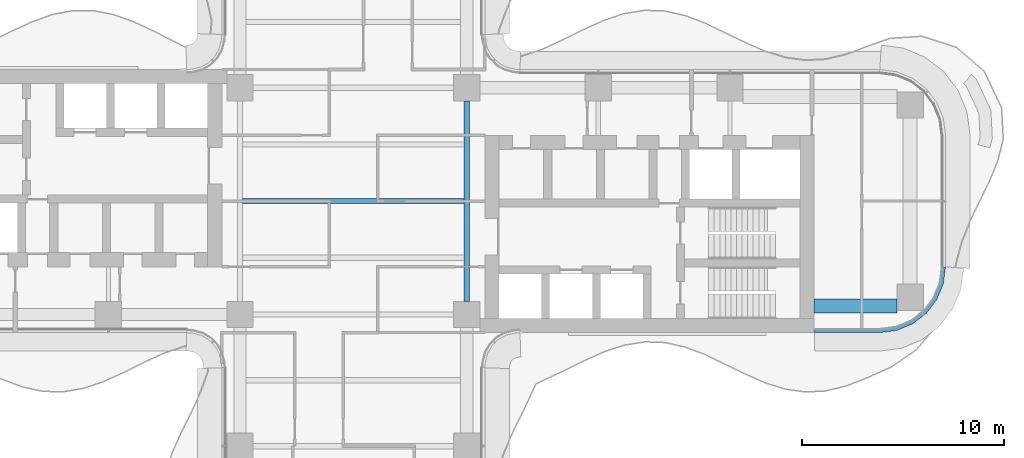
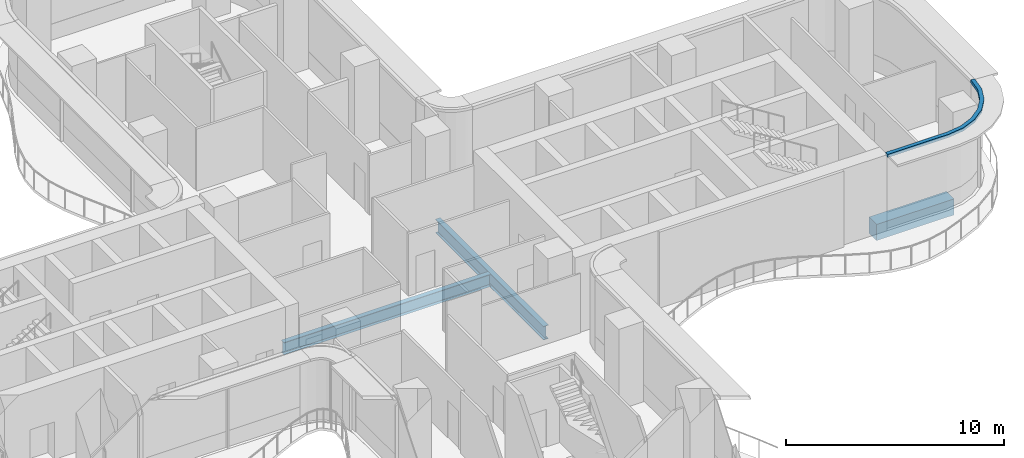
# One storey, part 6 of 21: 3 beams, 1 member, 1 element without a shape of its own.
"""IFC4 building model written with IfcOpenShell, lengths in metres."""

from ifc_helpers import new_model, si_unit, direction, frame, origin, origin_2d, place, context, subcontext, project, spatial, polyline, rectangle, i_section, outline, extrude, source, transform, mapped, material, layer, layer_set, material_profile, profile_set, type_object, element, aggregate, save


model = new_model("IFC4")

# Units and contexts
model_context = context("Model", 3, precision=1e-05, world=origin(), true_north=direction((0.0, 1.0)))
body_context = subcontext(model_context, "Body", "Model", "MODEL_VIEW")
ifc_project = project(units=[si_unit("LENGTHUNIT", "METRE"), si_unit("AREAUNIT", "SQUARE_METRE"), si_unit("VOLUMEUNIT", "CUBIC_METRE"), si_unit("PLANEANGLEUNIT", "RADIAN"), si_unit("MASSUNIT", "GRAM", prefix="KILO")], contexts=[model_context])

# Site, building, storey
site_placement = place(None, origin())
site = spatial("IfcSite", under=ifc_project, at=site_placement, CompositionType="ELEMENT")
building_placement = place(site_placement, origin())
building = spatial("IfcBuilding", under=site, at=building_placement, Name="Trellis Farm Tower", CompositionType="ELEMENT")
storey_placement = place(building_placement, frame((0.0, 0.0, 106.5)))
storey = spatial("IfcBuildingStorey", under=building, at=storey_placement, Name="L22", CompositionType="ELEMENT", Elevation=106.5)

# Beams
ifc_material_1 = material(Name="Steel S355", Category="steel")
ifc_material_profile_1 = material_profile(ifc_material_1, i_section(OverallWidth=0.253662109375, OverallDepth=0.68359375, WebThickness=0.012451171875, FlangeThickness=0.021728515625, FilletRadius=0.01513671875, at=origin_2d()), Name="UB 686x254x140")
ifc_profile_set_1 = profile_set([ifc_material_profile_1], Name="Steel S355")
beam_type_1 = type_object("IfcBeamType", Name="UB 686x254x140 joist", PredefinedType="JOIST", material=ifc_profile_set_1)
shared_shape_1 = source(origin(), body_context, "Body", "SweptSolid", [
    extrude(i_section(OverallWidth=0.253662109375, OverallDepth=0.68359375, WebThickness=0.012451171875, FlangeThickness=0.021728515625, FilletRadius=0.01513671875, at=origin_2d()), origin(), (0.0, 0.0, 1.0), 10.93310546875),
])
beam_1_placement = place(storey_placement, frame((-5.466552734375, 0.0, -0.591796875), z_axis=(1.0, 0.0, 0.0), x_axis=(0.0, 1.0, 0.0)))
element("IfcBeam", 1, at=beam_1_placement, inside=storey, type_object=beam_type_1, Name="Floor beam", PredefinedType="JOIST", context=body_context, shape_type="MappedRepresentation", body=[
    mapped(shared_shape_1, transform((0.0, 0.0, 0.0))),
])
ifc_material_profile_2 = material_profile(ifc_material_1, i_section(OverallWidth=0.2666015625, OverallDepth=0.76220703125, WebThickness=0.014404296875, FlangeThickness=0.021484375, FilletRadius=0.0166015625, at=origin_2d()), Name="UB 762x267x173")
ifc_profile_set_2 = profile_set([ifc_material_profile_2], Name="Steel S355")
beam_type_2 = type_object("IfcBeamType", Name="UB 762x267x173", PredefinedType="BEAM", material=ifc_profile_set_2)
shared_shape_2 = source(origin(), body_context, "Body", "SweptSolid", [
    extrude(i_section(OverallWidth=0.2666015625, OverallDepth=0.76220703125, WebThickness=0.014404296875, FlangeThickness=0.021484375, FilletRadius=0.0166015625, at=origin_2d()), origin(), (0.0, 0.0, 1.0), 9.89990234375),
])
beam_2_placement = place(storey_placement, frame((5.60009765625, -4.949951171875, -0.631103515625), z_axis=(0.0, 1.0, 0.0), x_axis=(-1.0, 0.0, 0.0)))
element("IfcBeam", 2, at=beam_2_placement, inside=storey, type_object=beam_type_2, Name="Girder", PredefinedType="BEAM", context=body_context, shape_type="MappedRepresentation", body=[
    mapped(shared_shape_2, transform((0.0, 0.0, 0.0))),
])
ifc_material_2 = material(Name="Concrete C60/75", Category="concrete")
ifc_material_profile_3 = material_profile(ifc_material_2, rectangle(XDim=0.699951171875, YDim=0.89990234375, at=origin_2d()), Name="RC spandrel beam 700x900 C60/75")
ifc_profile_set_3 = profile_set([ifc_material_profile_3], Name="Concrete C60/75")
beam_type_3 = type_object("IfcBeamType", Name="RC spandrel beam 700x900 C60/75", PredefinedType="SPANDREL", material=ifc_profile_set_3)
shared_shape_3 = source(origin(), body_context, "Body", "SweptSolid", [
    extrude(rectangle(XDim=0.699951171875, YDim=0.89990234375, at=origin_2d()), origin(), (0.0, 0.0, 1.0), 4.10009765625),
])
beam_3_placement = place(storey_placement, frame((22.75, -5.175048828125, -0.699951171875), z_axis=(1.0, 0.0, 0.0), x_axis=(0.0, 1.0, 0.0)))
element("IfcBeam", 3, at=beam_3_placement, inside=storey, type_object=beam_type_3, Name="Girder", PredefinedType="SPANDREL", context=body_context, shape_type="MappedRepresentation", body=[
    mapped(shared_shape_3, transform((0.0, 0.0, 0.0))),
])

# Curtain wall, member
ifc_material_3 = material(Name="Aluminium and glass curtain wall", Category="aluminium")
ifc_layer_1 = layer(ifc_material_3, 0.18994140625)
ifc_layer_set_1 = layer_set([ifc_layer_1], Name="RIBBON CURTAIN WALL CW1")
curtain_wall_type = type_object("IfcCurtainWallType", Name="RIBBON CURTAIN WALL CW1", PredefinedType="NOTDEFINED", material=ifc_layer_set_1)
curtain_wall_placement = place(storey_placement, origin())
curtain_wall = element("IfcCurtainWall", 4, at=curtain_wall_placement, inside=storey, type_object=curtain_wall_type, Name="CW1 006", PredefinedType="NOTDEFINED")
ifc_material_4 = material(Name="Aluminium extrusion 6063-T6", Category="aluminium")
ifc_layer_2 = layer(ifc_material_4, 0.199951171875)
ifc_layer_set_2 = layer_set([ifc_layer_2], Name="Aluminium extrusion 6063-T6")
member_type = type_object("IfcMemberType", Name="CW1 TRANSOM 200x180", PredefinedType="USERDEFINED", material=ifc_layer_set_2)
shared_shape_4 = source(origin(), body_context, "Body", "SweptSolid", [
    extrude(outline(polyline([(22.780029296875, -6.5), (26.0, -6.5), (26.841064453125, -6.38916015625), (27.625, -6.064697265625), (28.298095703125, -5.548095703125), (28.814697265625, -4.875), (29.13916015625, -4.091064453125), (29.25, -3.25), (29.050048828125, -3.23681640625), (28.9443359375, -4.0390625), (28.639892578125, -4.774169921875), (28.155517578125, -5.405517578125), (27.524169921875, -5.889892578125), (26.7890625, -6.1943359375), (25.98681640625, -6.300048828125), (22.780029296875, -6.300048828125), (22.780029296875, -6.5)])), origin(), (0.0, 0.0, 1.0), 0.179931640625),
])
member_placement = place(storey_placement, frame((0.0, 0.0, 4.070068359375)))
member = element("IfcMember", 5, at=member_placement, type_object=member_type, Name="TR1 006", ObjectType="TRANSOM", PredefinedType="USERDEFINED", context=body_context, shape_type="MappedRepresentation", body=[
    mapped(shared_shape_4, transform((0.0, 0.0, 0.0))),
])
aggregate(curtain_wall, [member])

save(model, "model.ifc")
